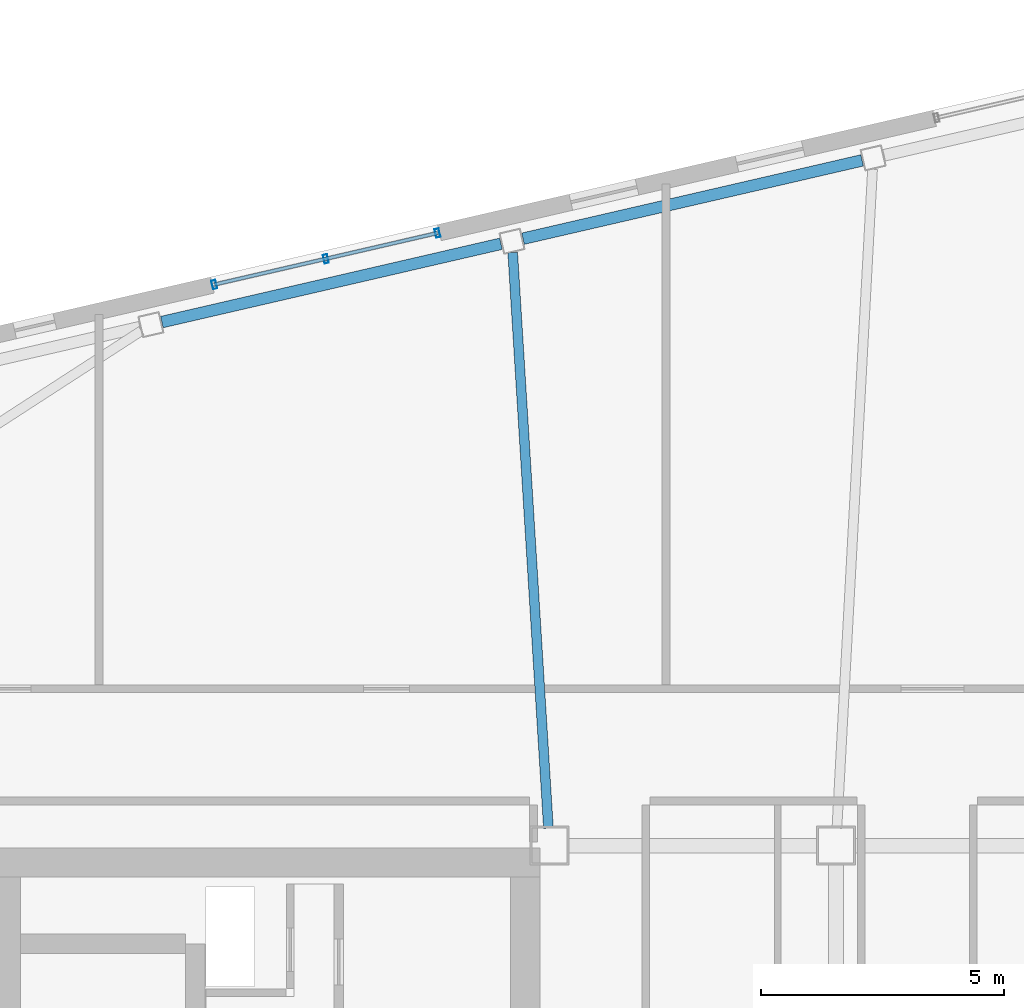
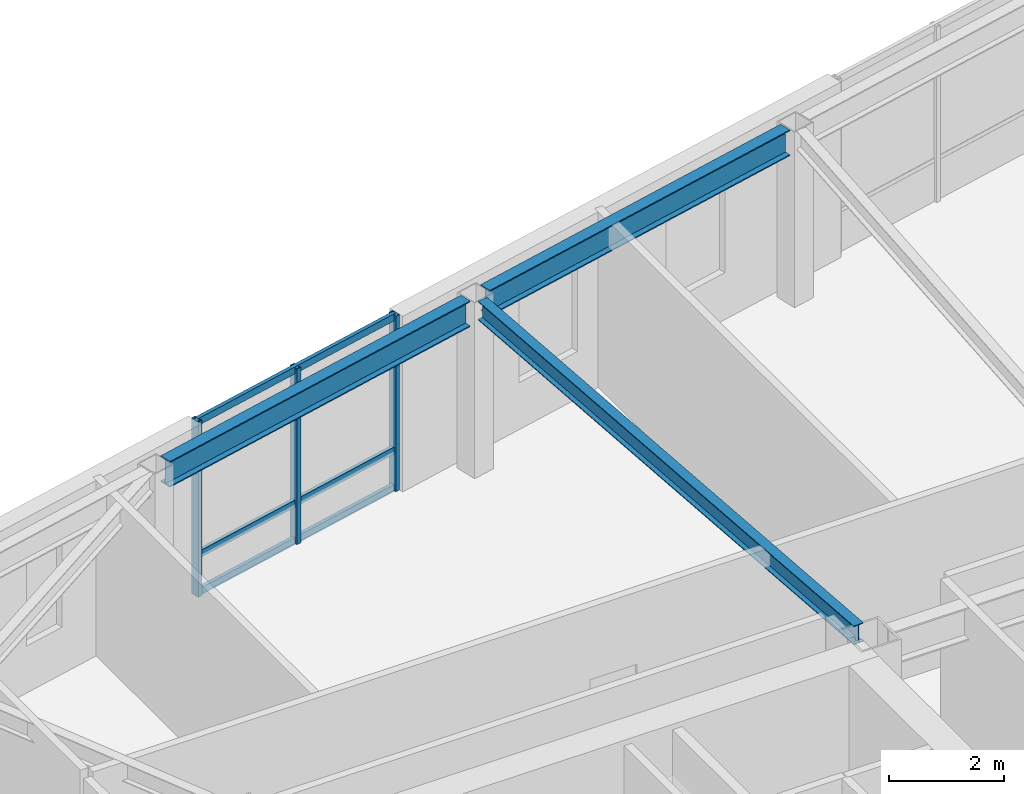
# One storey, part 10 of 21: 6 members, 3 beams, 1 element without a shape of its own.
"""IFC4 building model written with IfcOpenShell, lengths in metres."""

from ifc_helpers import new_model, si_unit, direction, frame, origin, origin_2d, place, context, subcontext, project, spatial, hollow_rectangle, i_section, extrude, material, layer, layer_set, material_profile, profile_set, type_object, element, aggregate, save


model = new_model("IFC4")

# Units and contexts
model_context = context("Model", 3, precision=1e-05, world=origin(), true_north=direction((0.0, 1.0)))
body_context = subcontext(model_context, "Body", "Model", "MODEL_VIEW")
ifc_project = project(units=[si_unit("LENGTHUNIT", "METRE"), si_unit("AREAUNIT", "SQUARE_METRE"), si_unit("VOLUMEUNIT", "CUBIC_METRE"), si_unit("PLANEANGLEUNIT", "RADIAN"), si_unit("MASSUNIT", "GRAM", prefix="KILO")], contexts=[model_context])

# Site, building, storey
site_placement = place(None, origin())
site = spatial("IfcSite", under=ifc_project, at=site_placement, CompositionType="ELEMENT")
building_placement = place(site_placement, origin())
building = spatial("IfcBuilding", under=site, at=building_placement, Name="Tavrogorsk Clinical Tower", CompositionType="ELEMENT")
storey_placement = place(building_placement, frame((0.0, 0.0, 285.0)))
storey = spatial("IfcBuildingStorey", under=building, at=storey_placement, Name="L66", CompositionType="ELEMENT", Elevation=285.0)

# Curtain wall, members
ifc_material_1 = material(Name="Anodised aluminium and triple IGU glazing", Category="aluminium")
ifc_layer = layer(ifc_material_1, 0.179931640625)
ifc_layer_set = layer_set([ifc_layer], Name="Anodised aluminium and triple IGU glazing")
curtain_wall_type = type_object("IfcCurtainWallType", Name="CW2_NorthSlot", PredefinedType="NOTDEFINED", material=ifc_layer_set)
curtain_wall_placement = place(storey_placement, origin())
curtain_wall = element("IfcCurtainWall", 1, at=curtain_wall_placement, inside=storey, type_object=curtain_wall_type, Name="L66 Curtain Wall CW-L66-N-SLOT-1", PredefinedType="NOTDEFINED")
ifc_material_2 = material(Name="Anodised aluminium alloy AW-6060", Category="aluminium")
ifc_material_profile_1 = material_profile(ifc_material_2, hollow_rectangle(XDim=0.090087890625, YDim=0.179931640625, WallThickness=0.00634765625, at=origin_2d()), Name="RHS-180x90x6.3")
ifc_profile_set_1 = profile_set([ifc_material_profile_1], Name="Anodised aluminium alloy AW-6060")
member_type_1 = type_object("IfcMemberType", Name="CwMullion_180x90", PredefinedType="MULLION", material=ifc_profile_set_1)
member_1_placement = place(storey_placement, frame((-12.608154296875, 18.9658203125, 0.0), z_axis=(0.0, 0.0, 1.0), x_axis=(-0.974370057377, -0.224951086434, 0.0)))
member_1 = element("IfcMember", 2, at=member_1_placement, type_object=member_type_1, Name="CW-L66-N-SLOT-1 Mullion 1", PredefinedType="MULLION", context=body_context, shape_type="SweptSolid", body=[
    extrude(hollow_rectangle(XDim=0.090087890625, YDim=0.179931640625, WallThickness=0.00634765625, at=origin_2d()), origin(), (0.0, 0.0, 1.0), 3.739990234375),
])
member_2_placement = place(storey_placement, frame((-14.90673828125, 18.435302734375, 0.0), z_axis=(0.0, 0.0, 1.0), x_axis=(-0.974370057377, -0.224951086434, 0.0)))
member_2 = element("IfcMember", 3, at=member_2_placement, type_object=member_type_1, Name="CW-L66-N-SLOT-1 Mullion 2", PredefinedType="MULLION", context=body_context, shape_type="SweptSolid", body=[
    extrude(hollow_rectangle(XDim=0.090087890625, YDim=0.179931640625, WallThickness=0.00634765625, at=origin_2d()), origin(), (0.0, 0.0, 1.0), 3.739990234375),
])
member_3_placement = place(storey_placement, frame((-17.205322265625, 17.904541015625, 0.0), z_axis=(0.0, 0.0, 1.0), x_axis=(-0.974370057377, -0.224951086434, 0.0)))
member_3 = element("IfcMember", 4, at=member_3_placement, type_object=member_type_1, Name="CW-L66-N-SLOT-1 Mullion 3", PredefinedType="MULLION", context=body_context, shape_type="SweptSolid", body=[
    extrude(hollow_rectangle(XDim=0.090087890625, YDim=0.179931640625, WallThickness=0.00634765625, at=origin_2d()), origin(), (0.0, 0.0, 1.0), 3.739990234375),
])
ifc_material_3 = material(Name="Anodised aluminium alloy AW-6060", Category="aluminium")
ifc_material_profile_2 = material_profile(ifc_material_3, hollow_rectangle(XDim=0.074951171875, YDim=0.14990234375, WallThickness=0.0048828125, at=origin_2d()), Name="RHS-150x75x5")
ifc_profile_set_2 = profile_set([ifc_material_profile_2], Name="Anodised aluminium alloy AW-6060")
member_type_2 = type_object("IfcMemberType", Name="CwTransom_150x75", PredefinedType="USERDEFINED", material=ifc_profile_set_2)
member_4_placement = place(storey_placement, frame((-12.608154296875, 18.9658203125, 0.050048828125), z_axis=(-0.974372877948, -0.22493886885, 0.0), x_axis=(0.22493886885, -0.974372877948, 0.0)))
member_4 = element("IfcMember", 5, at=member_4_placement, type_object=member_type_2, Name="CW-L66-N-SLOT-1 Transom 1", ObjectType="TRANSOM", PredefinedType="USERDEFINED", context=body_context, shape_type="SweptSolid", body=[
    extrude(hollow_rectangle(XDim=0.074951171875, YDim=0.14990234375, WallThickness=0.0048828125, at=origin_2d()), origin(), (0.0, 0.0, 1.0), 4.718017578125),
])
member_5_placement = place(storey_placement, frame((-12.608154296875, 18.9658203125, 0.85009765625), z_axis=(-0.974372877948, -0.22493886885, 0.0), x_axis=(0.22493886885, -0.974372877948, 0.0)))
member_5 = element("IfcMember", 6, at=member_5_placement, type_object=member_type_2, Name="CW-L66-N-SLOT-1 Transom 2", ObjectType="TRANSOM", PredefinedType="USERDEFINED", context=body_context, shape_type="SweptSolid", body=[
    extrude(hollow_rectangle(XDim=0.074951171875, YDim=0.14990234375, WallThickness=0.0048828125, at=origin_2d()), origin(), (0.0, 0.0, 1.0), 4.718017578125),
])
member_6_placement = place(storey_placement, frame((-12.608154296875, 18.9658203125, 3.68994140625), z_axis=(-0.974372877948, -0.22493886885, 0.0), x_axis=(0.22493886885, -0.974372877948, 0.0)))
member_6 = element("IfcMember", 7, at=member_6_placement, type_object=member_type_2, Name="CW-L66-N-SLOT-1 Transom 3", ObjectType="TRANSOM", PredefinedType="USERDEFINED", context=body_context, shape_type="SweptSolid", body=[
    extrude(hollow_rectangle(XDim=0.074951171875, YDim=0.14990234375, WallThickness=0.0048828125, at=origin_2d()), origin(), (0.0, 0.0, 1.0), 4.718017578125),
])
aggregate(curtain_wall, [member_1, member_2, member_3, member_4, member_5, member_6])

# Beams
ifc_material_4 = material(Name="Structural steel S355", Category="steel")
ifc_material_profile_3 = material_profile(ifc_material_4, i_section(OverallWidth=0.199951171875, OverallDepth=0.39990234375, WebThickness=0.010498046875, FlangeThickness=0.01611328125, at=origin_2d()), Name="B-400x200x10.5x16")
ifc_profile_set_3 = profile_set([ifc_material_profile_3], Name="Structural steel S355")
beam_type_1 = type_object("IfcBeamType", Name="FloorBeam_B400", PredefinedType="BEAM", material=ifc_profile_set_3)
beam_placement = place(storey_placement, frame((-10.322265625, 6.709228515625, 3.5400390625), z_axis=(-0.061970081602, 0.998078007465, 0.0), x_axis=(-0.998078007465, -0.061970081602, 0.0)))
element("IfcBeam", 8, at=beam_placement, inside=storey, type_object=beam_type_1, Name="L66 Radial Floor Beam N5", PredefinedType="BEAM", context=body_context, shape_type="SweptSolid", body=[
    extrude(i_section(OverallWidth=0.199951171875, OverallDepth=0.39990234375, WebThickness=0.010498046875, FlangeThickness=0.01611328125, at=origin_2d()), origin(), (0.0, 0.0, 1.0), 11.878173828125),
])
ifc_material_5 = material(Name="Structural steel S390", Category="steel")
ifc_material_profile_4 = material_profile(ifc_material_5, i_section(OverallWidth=0.239990234375, OverallDepth=0.550048828125, WebThickness=0.013916015625, FlangeThickness=0.02197265625, at=origin_2d()), Name="B-550x240x14x22")
ifc_profile_set_4 = profile_set([ifc_material_profile_4], Name="Structural steel S390")
beam_type_2 = type_object("IfcBeamType", Name="SpandrelBeam_B550", PredefinedType="SPANDREL", material=ifc_profile_set_4)
for number, where, z_axis, x_axis, name in (
    (9, (-3.861328125, 20.4619140625, 3.465087890625), (-0.974367655018, -0.224961491939, 0.0), (0.224961491939, -0.974367655018, 0.0), "L66 Perimeter Spandrel N4-N5"),
    (10, (-11.2998046875, 18.74462890625, 3.465087890625), (-0.974367655018, -0.224961491939, 0.0), (0.224961491939, -0.974367655018, 0.0), "L66 Perimeter Spandrel N5-N6"),
):
    element("IfcBeam", number, at=place(storey_placement, frame(where, z_axis=z_axis, x_axis=x_axis)), inside=storey, type_object=beam_type_2, Name=name, PredefinedType="SPANDREL", context=body_context, shape_type="SweptSolid", body=[
        extrude(i_section(OverallWidth=0.239990234375, OverallDepth=0.550048828125, WebThickness=0.013916015625, FlangeThickness=0.02197265625, at=origin_2d()), origin(), (0.0, 0.0, 1.0), 7.168212890625),
    ])

save(model, "model.ifc")
